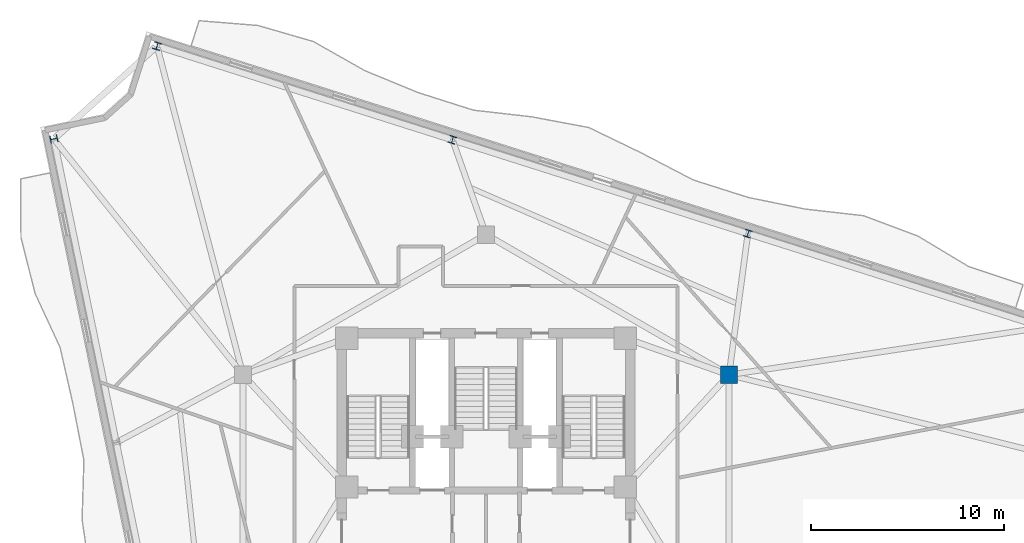
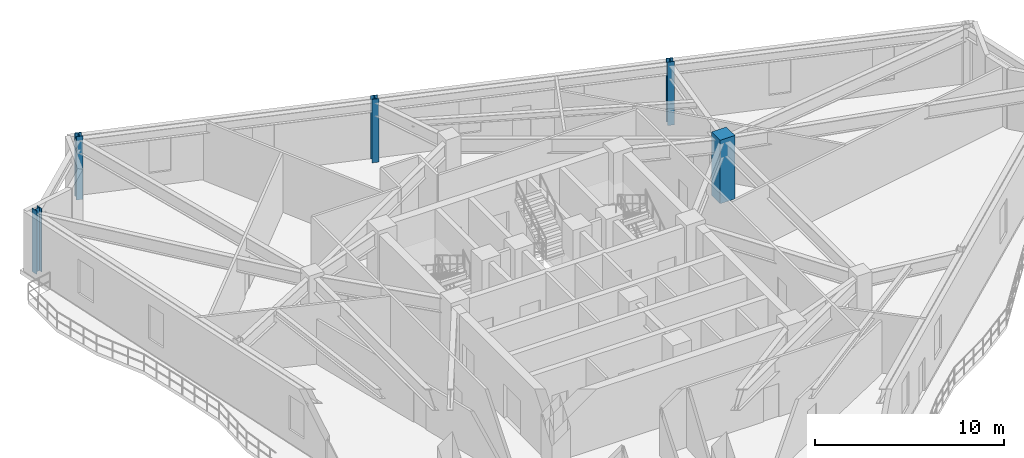
# One storey, part 2 of 12: 5 columns.
"""IFC4 building model written with IfcOpenShell, lengths in metres."""

from ifc_helpers import new_model, si_unit, direction, frame, origin, origin_2d, place, context, subcontext, project, spatial, rectangle, i_section, extrude, material, material_profile, profile_set, type_object, element, save


model = new_model("IFC4")

# Units and contexts
model_context = context("Model", 3, precision=1e-05, world=origin(), true_north=direction((0.0, 1.0)))
body_context = subcontext(model_context, "Body", "Model", "MODEL_VIEW")
ifc_project = project(units=[si_unit("LENGTHUNIT", "METRE"), si_unit("AREAUNIT", "SQUARE_METRE"), si_unit("VOLUMEUNIT", "CUBIC_METRE"), si_unit("PLANEANGLEUNIT", "RADIAN"), si_unit("MASSUNIT", "GRAM", prefix="KILO")], contexts=[model_context])

# Site, building, storey
site_placement = place(None, origin())
site = spatial("IfcSite", under=ifc_project, at=site_placement, CompositionType="ELEMENT")
building_placement = place(site_placement, origin())
building = spatial("IfcBuilding", under=site, at=building_placement, Name="Apsidion Concourse Tower", CompositionType="ELEMENT")
storey_placement = place(building_placement, frame((0.0, 0.0, 240.39990234375)))
storey = spatial("IfcBuildingStorey", under=building, at=storey_placement, Name="L56", CompositionType="ELEMENT", Elevation=240.39990234375)

# Columns
ifc_material_1 = material(Name="Concrete C50/60", Category="concrete")
ifc_material_profile_1 = material_profile(ifc_material_1, rectangle(XDim=0.89990234375, YDim=0.89990234375, at=origin_2d()), Name="RC 900x900")
ifc_profile_set_1 = profile_set([ifc_material_profile_1], Name="Concrete C50/60")
column_type_1 = type_object("IfcColumnType", Name="COL-RC-900", PredefinedType="COLUMN", material=ifc_profile_set_1)
column_placement = place(storey_placement, frame((12.56005859375, 7.25, 0.0), z_axis=(0.0, 0.0, 1.0), x_axis=(1.0, 0.0, 0.0)))
element("IfcColumn", 1, at=column_placement, inside=storey, type_object=column_type_1, Name="L56 Interior Spine Column IC3", PredefinedType="COLUMN", context=body_context, shape_type="SweptSolid", body=[
    extrude(rectangle(XDim=0.89990234375, YDim=0.89990234375, at=origin_2d()), origin(), (0.0, 0.0, 1.0), 4.10009765625),
])
ifc_material_2 = material(Name="Structural steel ASTM A992 Grade 50", Category="steel")
ifc_material_profile_2 = material_profile(ifc_material_2, i_section(OverallWidth=0.373046875, OverallDepth=0.373046875, WebThickness=0.016357421875, FlangeThickness=0.026123046875, at=origin_2d()), Name="W14X132")
ifc_profile_set_2 = profile_set([ifc_material_profile_2], Name="Structural steel ASTM A992 Grade 50")
column_type_2 = type_object("IfcColumnType", Name="COL-W14-132", PredefinedType="COLUMN", material=ifc_profile_set_2)
for number, where, z_axis, x_axis, name in (
    (2, (-22.337158203125, 19.44677734375, 0.0), (0.0, 0.0, 1.0), (-0.201248886216, 0.979540139962, 0.0), "L56 Rotated Perimeter Column PC01"),
    (3, (13.539306640625, 14.552978515625, 0.0), (0.0, 0.0, 1.0), (-0.953137879774, 0.3025362493, 0.0), "L56 Rotated Perimeter Column PC10"),
    (4, (-1.733154296875, 19.400390625, 0.0), (0.0, 0.0, 1.0), (-0.953137879774, 0.3025362493, 0.0), "L56 Rotated Perimeter Column PC11"),
    (5, (-17.00537109375, 24.24755859375, 0.0), (0.0, 0.0, 1.0), (-0.953137879774, 0.3025362493, 0.0), "L56 Rotated Perimeter Column PC12"),
):
    element("IfcColumn", number, at=place(storey_placement, frame(where, z_axis=z_axis, x_axis=x_axis)), inside=storey, type_object=column_type_2, Name=name, PredefinedType="COLUMN", context=body_context, shape_type="SweptSolid", body=[
        extrude(i_section(OverallWidth=0.373046875, OverallDepth=0.373046875, WebThickness=0.016357421875, FlangeThickness=0.026123046875, at=origin_2d()), origin(), (0.0, 0.0, 1.0), 4.10009765625),
    ])

save(model, "model.ifc")
